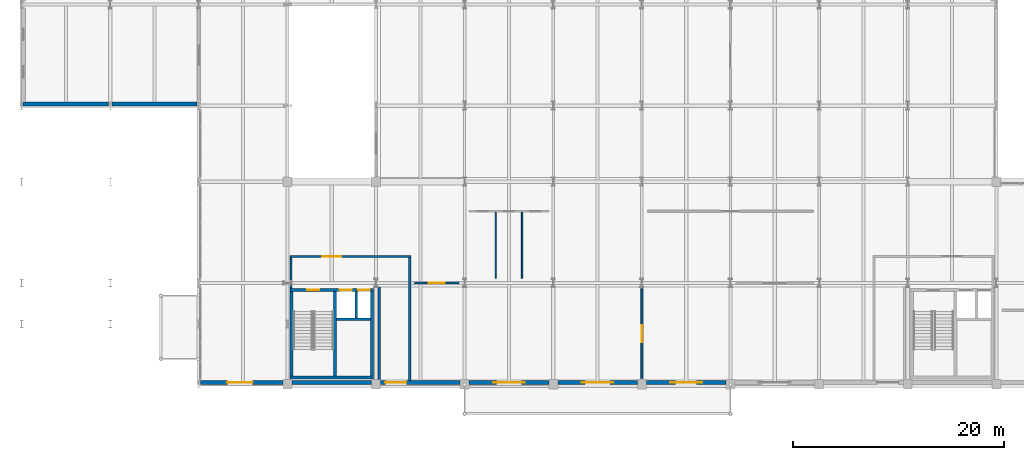
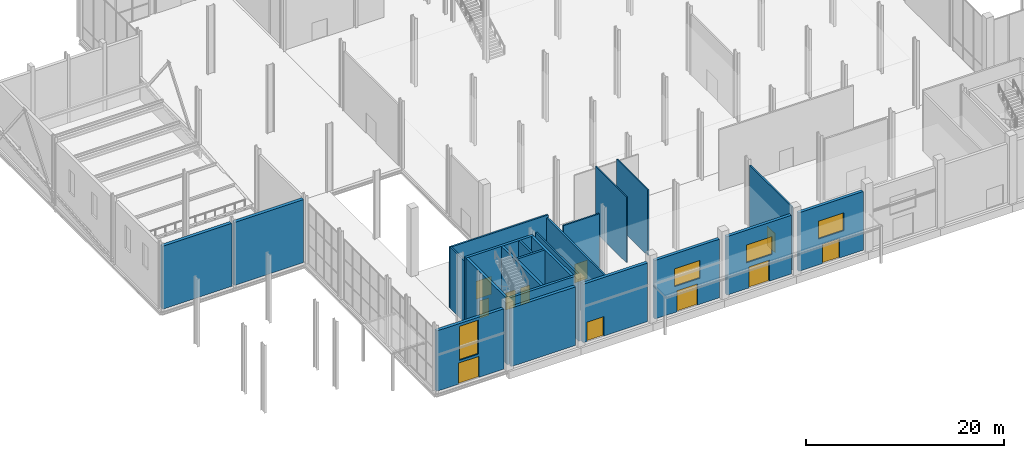
# One storey, part 115 of 131: 23 walls, 11 doors, 4 windows, 15 openings.
"""IFC4 building model written with IfcOpenShell, lengths in metres."""

from ifc_helpers import new_model, si_unit, direction, frame, frame_2d, origin, place, context, subcontext, project, spatial, rectangle, extrude, material, layer, layer_set, type_object, element, fill, save


model = new_model("IFC4")

# Units and contexts
model_context = context("Model", 3, precision=1e-05, world=origin(), true_north=direction((0.0, 1.0)))
body_context = subcontext(model_context, "Body", "Model", "MODEL_VIEW")
ifc_project = project(units=[si_unit("LENGTHUNIT", "METRE"), si_unit("AREAUNIT", "SQUARE_METRE"), si_unit("VOLUMEUNIT", "CUBIC_METRE"), si_unit("PLANEANGLEUNIT", "RADIAN"), si_unit("MASSUNIT", "GRAM", prefix="KILO")], contexts=[model_context])

# Site, building, storey
site_placement = place(None, origin())
site = spatial("IfcSite", under=ifc_project, at=site_placement, CompositionType="ELEMENT")
building_placement = place(site_placement, origin())
building = spatial("IfcBuilding", under=site, at=building_placement, Name="Veltarok Museum of Natural Sciences", CompositionType="ELEMENT")
storey_placement = place(building_placement, origin())
storey = spatial("IfcBuildingStorey", under=building, at=storey_placement, Name="L00", CompositionType="ELEMENT", Elevation=0.0)

# Walls
ifc_material_1 = material(Name="Concrete C40/50", Category="concrete")
ifc_layer_1 = layer(ifc_material_1, 0.3798828125)
ifc_layer_set_1 = layer_set([ifc_layer_1], Name="Concrete C40/50")
wall_type_1 = type_object("IfcWallType", Name="Auditorium Acoustic Concrete Facade Wall 380", PredefinedType="SOLIDWALL", material=ifc_layer_set_1)
wall_1_placement = place(storey_placement, frame((6.550048828125, 26.590087890625, 0.0), z_axis=(0.0, 0.0, 1.0), x_axis=(1.0, 0.0, 0.0)))
element("IfcWall", 1, at=wall_1_placement, inside=storey, type_object=wall_type_1, Name="Auditorium South Acoustic Wall L00 1-2", PredefinedType="SOLIDWALL", context=body_context, shape_type="SweptSolid", body=[
    extrude(rectangle(XDim=8.099853515625, YDim=0.3798828125, at=frame_2d((4.0498046875, 0.0))), origin(), (0.0, 0.0, 1.0), 7.780029296875),
])
wall_2_placement = place(storey_placement, frame((14.949951171875, 26.590087890625, 0.0), z_axis=(0.0, 0.0, 1.0), x_axis=(1.0, 0.0, 0.0)))
element("IfcWall", 2, at=wall_2_placement, inside=storey, type_object=wall_type_1, Name="Auditorium South Acoustic Wall L00 2-3", PredefinedType="SOLIDWALL", context=body_context, shape_type="SweptSolid", body=[
    extrude(rectangle(XDim=8.10009765625, YDim=0.3798828125, at=frame_2d((4.050048828125, 0.0))), origin(), (0.0, 0.0, 1.0), 7.780029296875),
])

# Wall, opening, door
ifc_material_2 = material(Name="Acoustic gypsum and mineral wool")
ifc_layer_2 = layer(ifc_material_2, 0.179931640625)
ifc_layer_set_2 = layer_set([ifc_layer_2], Name="Acoustic gypsum and mineral wool")
wall_type_2 = type_object("IfcWallType", Name="Exhibition Gallery Partition 180", PredefinedType="PARTITIONING", material=ifc_layer_set_2)
wall_3_placement = place(storey_placement, frame((43.64990234375, 9.60009765625, 0.0), z_axis=(0.0, 0.0, 1.0), x_axis=(1.0, 0.0, 0.0)))
wall_3 = element("IfcWall", 3, at=wall_3_placement, inside=storey, type_object=wall_type_2, Name="Interior Partition L00-010", PredefinedType="PARTITIONING", context=body_context, shape_type="SweptSolid", body=[
    extrude(rectangle(XDim=4.2001953125, YDim=0.179931640625, at=frame_2d((2.10009765625, 0.0))), origin(), (0.0, 0.0, 1.0), 7.58203125),
])
opening_1_placement = place(wall_3_placement, frame((1.35009765625, 0.0, 0.0)))
opening_1 = element("IfcOpeningElement", 4, at=opening_1_placement, cuts=wall_3, Name="Opening D-L00-136", PredefinedType="OPENING", context=body_context, shape_type="SweptSolid", body=[
    extrude(rectangle(XDim=1.5, YDim=2.300048828125, at=frame_2d((0.75, 1.14990234375))), frame((0.0, 0.10009765625, 0.0), z_axis=(0.0, -1.0, 0.0), x_axis=(1.0, 0.0, 0.0)), (0.0, 0.0, 1.0), 0.199951171875),
])
ifc_material_3 = material(Name="Solid European oak and safety glass", Category="glass")
door_type_1 = type_object("IfcDoorType", Name="Seminar Double Swing Door 1500x2300", OperationType="NOTDEFINED", PredefinedType="DOOR", material=ifc_material_3)
door_1_placement = place(opening_1_placement, origin())
door_1 = element("IfcDoor", 5, at=door_1_placement, inside=storey, type_object=door_type_1, Name="Interior Door D-L00-136", OperationType="SINGLE_SWING_RIGHT", OverallHeight=2.300048828125, OverallWidth=1.5, PredefinedType="DOOR", context=body_context, shape_type="SweptSolid", body=[
    extrude(rectangle(XDim=1.5, YDim=2.300048828125, at=frame_2d((0.75, 1.14990234375))), frame((0.0, 0.02490234375, 0.0), z_axis=(0.0, -1.0, 0.0), x_axis=(1.0, 0.0, 0.0)), (0.0, 0.0, 1.0), 0.050048828125),
])
fill(opening_1, door_1)

wall_4_placement = place(storey_placement, frame((65.199951171875, 0.550048828125, 0.0), z_axis=(0.0, 0.0, 1.0), x_axis=(0.0, 1.0, 0.0)))
wall_4 = element("IfcWall", 6, at=wall_4_placement, inside=storey, type_object=wall_type_2, Name="Interior Partition L00-011", PredefinedType="PARTITIONING", context=body_context, shape_type="SweptSolid", body=[
    extrude(rectangle(XDim=8.5, YDim=0.179931640625, at=frame_2d((4.25, 0.0))), origin(), (0.0, 0.0, 1.0), 7.81201171875),
])
opening_2_placement = place(wall_4_placement, frame((3.449951171875, 0.0, 0.0)))
opening_2 = element("IfcOpeningElement", 7, at=opening_2_placement, cuts=wall_4, Name="Opening D-L00-137", PredefinedType="OPENING", context=body_context, shape_type="SweptSolid", body=[
    extrude(rectangle(XDim=1.60009765625, YDim=2.39990234375, at=frame_2d((0.800048828125, 1.199951171875))), frame((0.0, 0.10009765625, 0.0), z_axis=(0.0, -1.0, 0.0), x_axis=(1.0, 0.0, 0.0)), (0.0, 0.0, 1.0), 0.199951171875),
])
door_type_2 = type_object("IfcDoorType", Name="Gallery Double Swing Door 1600x2400", OperationType="NOTDEFINED", PredefinedType="DOOR", material=ifc_material_3)
door_2_placement = place(opening_2_placement, origin())
door_2 = element("IfcDoor", 8, at=door_2_placement, inside=storey, type_object=door_type_2, Name="Interior Door D-L00-137", OperationType="DOUBLE_DOOR_SINGLE_SWING", OverallHeight=2.39990234375, OverallWidth=1.60009765625, PredefinedType="DOOR", context=body_context, shape_type="SweptSolid", body=[
    extrude(rectangle(XDim=1.60009765625, YDim=2.39990234375, at=frame_2d((0.800048828125, 1.199951171875))), frame((0.0, 0.02490234375, 0.0), z_axis=(0.0, -1.0, 0.0), x_axis=(1.0, 0.0, 0.0)), (0.0, 0.0, 1.0), 0.050048828125),
])
fill(opening_2, door_2)

# Wall
ifc_layer_3 = layer(ifc_material_1, 0.360107421875)
ifc_layer_set_3 = layer_set([ifc_layer_3], Name="Concrete C40/50")
wall_type_3 = type_object("IfcWallType", Name="Exposed Architectural Concrete Facade Wall 360", PredefinedType="SOLIDWALL", material=ifc_layer_set_3)
wall_5_placement = place(storey_placement, frame((32.02490234375, 0.179931640625, 0.0), z_axis=(0.0, 0.0, 1.0), x_axis=(1.0, 0.0, 0.0)))
element("IfcWall", 9, at=wall_5_placement, inside=storey, type_object=wall_type_3, Name="South Core Facade Wall L00 4-5", PredefinedType="SOLIDWALL", context=body_context, shape_type="SweptSolid", body=[
    extrude(rectangle(XDim=7.550048828125, YDim=0.360107421875, at=frame_2d((3.77490234375, 0.0))), origin(), (0.0, 0.0, 1.0), 7.235107421875),
])

# Wall, opening, door
wall_6_placement = place(storey_placement, frame((40.425048828125, 0.179931640625, 0.0), z_axis=(0.0, 0.0, 1.0), x_axis=(1.0, 0.0, 0.0)))
wall_6 = element("IfcWall", 10, at=wall_6_placement, inside=storey, type_object=wall_type_3, Name="South Portal Wall 5-6", PredefinedType="SOLIDWALL", context=body_context, shape_type="SweptSolid", body=[
    extrude(rectangle(XDim=7.550048828125, YDim=0.360107421875, at=frame_2d((3.77490234375, 0.0))), origin(), (0.0, 0.0, 1.0), 7.235107421875),
])
opening_3_placement = place(wall_6_placement, frame((0.449951171875, 0.0, 0.0)))
opening_3 = element("IfcOpeningElement", 11, at=opening_3_placement, cuts=wall_6, Name="Opening E-01", PredefinedType="OPENING", context=body_context, shape_type="SweptSolid", body=[
    extrude(rectangle(XDim=2.0, YDim=2.39990234375, at=frame_2d((1.0, 1.199951171875))), frame((0.0, 0.18994140625, 0.0), z_axis=(0.0, -1.0, 0.0), x_axis=(1.0, 0.0, 0.0)), (0.0, 0.0, 1.0), 0.380126953125),
])
ifc_material_4 = material(Name="Insulated steel and safety glass", Category="steel")
door_type_3 = type_object("IfcDoorType", Name="Double Escape Discharge Door 2000x2400", OperationType="NOTDEFINED", PredefinedType="DOOR", material=ifc_material_4)
door_3_placement = place(opening_3_placement, frame((2.0, 0.0, 0.0), z_axis=(0.0, 0.0, 1.0), x_axis=(-1.0, 0.0, 0.0)))
door_3 = element("IfcDoor", 12, at=door_3_placement, inside=storey, type_object=door_type_3, Name="Pedestrian Final Exit E-01", OperationType="DOUBLE_DOOR_SINGLE_SWING", OverallHeight=2.39990234375, OverallWidth=2.0, PredefinedType="DOOR", context=body_context, shape_type="SweptSolid", body=[
    extrude(rectangle(XDim=2.0, YDim=2.39990234375, at=frame_2d((1.0, 1.199951171875))), frame((0.0, 0.02490234375, 0.0), z_axis=(0.0, -1.0, 0.0), x_axis=(1.0, 0.0, 0.0)), (0.0, 0.0, 1.0), 0.050048828125),
])
fill(opening_3, door_3)

# Wall, openings, door, window
wall_7_placement = place(storey_placement, frame((48.824951171875, 0.179931640625, 0.0), z_axis=(0.0, 0.0, 1.0), x_axis=(1.0, 0.0, 0.0)))
wall_7 = element("IfcWall", 13, at=wall_7_placement, inside=storey, type_object=wall_type_3, Name="South Portal Wall 6-7", PredefinedType="SOLIDWALL", context=body_context, shape_type="SweptSolid", body=[
    extrude(rectangle(XDim=7.550048828125, YDim=0.360107421875, at=frame_2d((3.77490234375, 0.0))), origin(), (0.0, 0.0, 1.0), 7.235107421875),
])
opening_4_placement = place(wall_7_placement, frame((2.574951171875, 0.0, 0.0)))
opening_4 = element("IfcOpeningElement", 14, at=opening_4_placement, cuts=wall_7, Name="Opening E-02", PredefinedType="OPENING", context=body_context, shape_type="SweptSolid", body=[
    extrude(rectangle(XDim=2.39990234375, YDim=2.60009765625, at=frame_2d((1.199951171875, 1.300048828125))), frame((0.0, 0.18994140625, 0.0), z_axis=(0.0, -1.0, 0.0), x_axis=(1.0, 0.0, 0.0)), (0.0, 0.0, 1.0), 0.380126953125),
])
opening_5_placement = place(wall_7_placement, frame((2.27490234375, 0.0, 3.199951171875)))
opening_5 = element("IfcOpeningElement", 15, at=opening_5_placement, cuts=wall_7, Name="Opening W-L00-001", PredefinedType="OPENING", context=body_context, shape_type="SweptSolid", body=[
    extrude(rectangle(XDim=3.0, YDim=2.199951171875, at=frame_2d((1.5, 1.10009765625))), frame((0.0, 0.18994140625, 0.0), z_axis=(0.0, -1.0, 0.0), x_axis=(1.0, 0.0, 0.0)), (0.0, 0.0, 1.0), 0.380126953125),
])
ifc_material_5 = material(Name="Thermally broken aluminium and glass", Category="aluminium")
door_type_4 = type_object("IfcDoorType", Name="Double Glazed Entrance Portal Door 2400x2600", OperationType="NOTDEFINED", PredefinedType="DOOR", material=ifc_material_5)
door_4_placement = place(opening_4_placement, frame((2.39990234375, 0.0, 0.0), z_axis=(0.0, 0.0, 1.0), x_axis=(-1.0, 0.0, 0.0)))
door_4 = element("IfcDoor", 16, at=door_4_placement, inside=storey, type_object=door_type_4, Name="Pedestrian Final Exit E-02", OperationType="DOUBLE_DOOR_SINGLE_SWING", OverallHeight=2.60009765625, OverallWidth=2.39990234375, PredefinedType="DOOR", context=body_context, shape_type="SweptSolid", body=[
    extrude(rectangle(XDim=2.39990234375, YDim=2.60009765625, at=frame_2d((1.199951171875, 1.300048828125))), frame((0.0, 0.02490234375, 0.0), z_axis=(0.0, -1.0, 0.0), x_axis=(1.0, 0.0, 0.0)), (0.0, 0.0, 1.0), 0.050048828125),
])
fill(opening_4, door_4)
ifc_material_6 = material(Name="Low-iron triple insulated glass", Category="glass")
window_type_1 = type_object("IfcWindowType", Name="Passage Foyer Transom Window 3000x2200", PartitioningType="SINGLE_PANEL", PredefinedType="WINDOW", material=ifc_material_6)
window_1_placement = place(opening_5_placement, origin())
window_1 = element("IfcWindow", 17, at=window_1_placement, inside=storey, type_object=window_type_1, Name="Portal Clerestory Window 6-7", OverallHeight=2.199951171875, OverallWidth=3.0, PartitioningType="SINGLE_PANEL", PredefinedType="WINDOW", context=body_context, shape_type="SweptSolid", body=[
    extrude(rectangle(XDim=3.0, YDim=2.199951171875, at=frame_2d((1.5, 1.10009765625))), frame((0.0, 0.030029296875, 0.0), z_axis=(0.0, -1.0, 0.0), x_axis=(1.0, 0.0, 0.0)), (0.0, 0.0, 1.0), 0.06005859375),
])
fill(opening_5, window_1)

wall_8_placement = place(storey_placement, frame((57.22509765625, 0.179931640625, 0.0), z_axis=(0.0, 0.0, 1.0), x_axis=(1.0, 0.0, 0.0)))
wall_8 = element("IfcWall", 18, at=wall_8_placement, inside=storey, type_object=wall_type_3, Name="South Portal Wall 7-8", PredefinedType="SOLIDWALL", context=body_context, shape_type="SweptSolid", body=[
    extrude(rectangle(XDim=7.5498046875, YDim=0.360107421875, at=frame_2d((3.77490234375, 0.0))), origin(), (0.0, 0.0, 1.0), 7.235107421875),
])
opening_6_placement = place(wall_8_placement, frame((2.574951171875, 0.0, 0.0)))
opening_6 = element("IfcOpeningElement", 19, at=opening_6_placement, cuts=wall_8, Name="Opening E-11", PredefinedType="OPENING", context=body_context, shape_type="SweptSolid", body=[
    extrude(rectangle(XDim=2.39990234375, YDim=2.60009765625, at=frame_2d((1.199951171875, 1.300048828125))), frame((0.0, 0.18994140625, 0.0), z_axis=(0.0, -1.0, 0.0), x_axis=(1.0, 0.0, 0.0)), (0.0, 0.0, 1.0), 0.380126953125),
])
opening_7_placement = place(wall_8_placement, frame((2.27490234375, 0.0, 3.199951171875)))
opening_7 = element("IfcOpeningElement", 20, at=opening_7_placement, cuts=wall_8, Name="Opening W-L00-002", PredefinedType="OPENING", context=body_context, shape_type="SweptSolid", body=[
    extrude(rectangle(XDim=3.0, YDim=2.199951171875, at=frame_2d((1.5, 1.10009765625))), frame((0.0, 0.18994140625, 0.0), z_axis=(0.0, -1.0, 0.0), x_axis=(1.0, 0.0, 0.0)), (0.0, 0.0, 1.0), 0.380126953125),
])
door_5_placement = place(opening_6_placement, frame((2.39990234375, 0.0, 0.0), z_axis=(0.0, 0.0, 1.0), x_axis=(-1.0, 0.0, 0.0)))
door_5 = element("IfcDoor", 21, at=door_5_placement, inside=storey, type_object=door_type_4, Name="Pedestrian Final Exit E-11", OperationType="DOUBLE_DOOR_SINGLE_SWING", OverallHeight=2.60009765625, OverallWidth=2.39990234375, PredefinedType="DOOR", context=body_context, shape_type="SweptSolid", body=[
    extrude(rectangle(XDim=2.39990234375, YDim=2.60009765625, at=frame_2d((1.199951171875, 1.300048828125))), frame((0.0, 0.02490234375, 0.0), z_axis=(0.0, -1.0, 0.0), x_axis=(1.0, 0.0, 0.0)), (0.0, 0.0, 1.0), 0.050048828125),
])
fill(opening_6, door_5)
window_2_placement = place(opening_7_placement, origin())
window_2 = element("IfcWindow", 22, at=window_2_placement, inside=storey, type_object=window_type_1, Name="Portal Clerestory Window 7-8", OverallHeight=2.199951171875, OverallWidth=3.0, PartitioningType="SINGLE_PANEL", PredefinedType="WINDOW", context=body_context, shape_type="SweptSolid", body=[
    extrude(rectangle(XDim=3.0, YDim=2.199951171875, at=frame_2d((1.5, 1.10009765625))), frame((0.0, 0.030029296875, 0.0), z_axis=(0.0, -1.0, 0.0), x_axis=(1.0, 0.0, 0.0)), (0.0, 0.0, 1.0), 0.06005859375),
])
fill(opening_7, window_2)

wall_9_placement = place(storey_placement, frame((65.625, 0.179931640625, 0.0), z_axis=(0.0, 0.0, 1.0), x_axis=(1.0, 0.0, 0.0)))
wall_9 = element("IfcWall", 23, at=wall_9_placement, inside=storey, type_object=wall_type_3, Name="South Portal Wall 8-9", PredefinedType="SOLIDWALL", context=body_context, shape_type="SweptSolid", body=[
    extrude(rectangle(XDim=7.550048828125, YDim=0.360107421875, at=frame_2d((3.77490234375, 0.0))), origin(), (0.0, 0.0, 1.0), 7.235107421875),
])
opening_8_placement = place(wall_9_placement, frame((2.77490234375, 0.0, 0.0)))
opening_8 = element("IfcOpeningElement", 24, at=opening_8_placement, cuts=wall_9, Name="Opening E-04", PredefinedType="OPENING", context=body_context, shape_type="SweptSolid", body=[
    extrude(rectangle(XDim=2.0, YDim=2.39990234375, at=frame_2d((1.0, 1.199951171875))), frame((0.0, 0.18994140625, 0.0), z_axis=(0.0, -1.0, 0.0), x_axis=(1.0, 0.0, 0.0)), (0.0, 0.0, 1.0), 0.380126953125),
])
opening_9_placement = place(wall_9_placement, frame((2.27490234375, 0.0, 3.199951171875)))
opening_9 = element("IfcOpeningElement", 25, at=opening_9_placement, cuts=wall_9, Name="Opening W-L00-003", PredefinedType="OPENING", context=body_context, shape_type="SweptSolid", body=[
    extrude(rectangle(XDim=3.0, YDim=2.199951171875, at=frame_2d((1.5, 1.10009765625))), frame((0.0, 0.18994140625, 0.0), z_axis=(0.0, -1.0, 0.0), x_axis=(1.0, 0.0, 0.0)), (0.0, 0.0, 1.0), 0.380126953125),
])
door_6_placement = place(opening_8_placement, frame((2.0, 0.0, 0.0), z_axis=(0.0, 0.0, 1.0), x_axis=(-1.0, 0.0, 0.0)))
door_6 = element("IfcDoor", 26, at=door_6_placement, inside=storey, type_object=door_type_3, Name="Pedestrian Final Exit E-04", OperationType="DOUBLE_DOOR_SINGLE_SWING", OverallHeight=2.39990234375, OverallWidth=2.0, PredefinedType="DOOR", context=body_context, shape_type="SweptSolid", body=[
    extrude(rectangle(XDim=2.0, YDim=2.39990234375, at=frame_2d((1.0, 1.199951171875))), frame((0.0, 0.02490234375, 0.0), z_axis=(0.0, -1.0, 0.0), x_axis=(1.0, 0.0, 0.0)), (0.0, 0.0, 1.0), 0.050048828125),
])
fill(opening_8, door_6)
window_3_placement = place(opening_9_placement, origin())
window_3 = element("IfcWindow", 27, at=window_3_placement, inside=storey, type_object=window_type_1, Name="Portal Clerestory Window 8-9", OverallHeight=2.199951171875, OverallWidth=3.0, PartitioningType="SINGLE_PANEL", PredefinedType="WINDOW", context=body_context, shape_type="SweptSolid", body=[
    extrude(rectangle(XDim=3.0, YDim=2.199951171875, at=frame_2d((1.5, 1.10009765625))), frame((0.0, 0.030029296875, 0.0), z_axis=(0.0, -1.0, 0.0), x_axis=(1.0, 0.0, 0.0)), (0.0, 0.0, 1.0), 0.06005859375),
])
fill(opening_9, window_3)

wall_10_placement = place(storey_placement, frame((23.35009765625, 0.179931640625, 0.0), z_axis=(0.0, 0.0, 1.0), x_axis=(1.0, 0.0, 0.0)))
wall_10 = element("IfcWall", 28, at=wall_10_placement, inside=storey, type_object=wall_type_3, Name="South Glazed Passage Entrance Portal Wall", PredefinedType="SOLIDWALL", context=body_context, shape_type="SweptSolid", body=[
    extrude(rectangle(XDim=7.824951171875, YDim=0.360107421875, at=frame_2d((3.91259765625, 0.0))), origin(), (0.0, 0.0, 1.0), 7.449951171875),
])
opening_10_placement = place(wall_10_placement, frame((2.550048828125, 0.0, 0.0)))
opening_10 = element("IfcOpeningElement", 29, at=opening_10_placement, cuts=wall_10, Name="Opening E-06", PredefinedType="OPENING", context=body_context, shape_type="SweptSolid", body=[
    extrude(rectangle(XDim=2.39990234375, YDim=2.60009765625, at=frame_2d((1.199951171875, 1.300048828125))), frame((0.0, 0.18994140625, 0.0), z_axis=(0.0, -1.0, 0.0), x_axis=(1.0, 0.0, 0.0)), (0.0, 0.0, 1.0), 0.380126953125),
])
opening_11_placement = place(wall_10_placement, frame((2.64990234375, 0.0, 2.89990234375)))
opening_11 = element("IfcOpeningElement", 30, at=opening_11_placement, cuts=wall_10, Name="Opening W-L00-006", PredefinedType="OPENING", context=body_context, shape_type="SweptSolid", body=[
    extrude(rectangle(XDim=2.199951171875, YDim=4.199951171875, at=frame_2d((1.10009765625, 2.10009765625))), frame((0.0, 0.18994140625, 0.0), z_axis=(0.0, -1.0, 0.0), x_axis=(1.0, 0.0, 0.0)), (0.0, 0.0, 1.0), 0.380126953125),
])
door_7_placement = place(opening_10_placement, frame((2.39990234375, 0.0, 0.0), z_axis=(0.0, 0.0, 1.0), x_axis=(-1.0, 0.0, 0.0)))
door_7 = element("IfcDoor", 31, at=door_7_placement, inside=storey, type_object=door_type_4, Name="Main Entrance E-06 South Passage", OperationType="DOUBLE_DOOR_SINGLE_SWING", OverallHeight=2.60009765625, OverallWidth=2.39990234375, PredefinedType="DOOR", context=body_context, shape_type="SweptSolid", body=[
    extrude(rectangle(XDim=2.39990234375, YDim=2.60009765625, at=frame_2d((1.199951171875, 1.300048828125))), frame((0.0, 0.02490234375, 0.0), z_axis=(0.0, -1.0, 0.0), x_axis=(1.0, 0.0, 0.0)), (0.0, 0.0, 1.0), 0.050048828125),
])
fill(opening_10, door_7)
window_type_2 = type_object("IfcWindowType", Name="Double-Height Hall Window 2200x4200", PartitioningType="SINGLE_PANEL", PredefinedType="WINDOW", material=ifc_material_6)
window_4_placement = place(opening_11_placement, origin())
window_4 = element("IfcWindow", 32, at=window_4_placement, inside=storey, type_object=window_type_2, Name="South Passage Portal Window", OverallHeight=4.199951171875, OverallWidth=2.199951171875, PartitioningType="SINGLE_PANEL", PredefinedType="WINDOW", context=body_context, shape_type="SweptSolid", body=[
    extrude(rectangle(XDim=2.199951171875, YDim=4.199951171875, at=frame_2d((1.10009765625, 2.10009765625))), frame((0.0, 0.030029296875, 0.0), z_axis=(0.0, -1.0, 0.0), x_axis=(1.0, 0.0, 0.0)), (0.0, 0.0, 1.0), 0.06005859375),
])
fill(opening_11, window_4)

# Wall, opening, door
ifc_material_7 = material(Name="Concrete C35/45", Category="concrete")
ifc_layer_4 = layer(ifc_material_7, 0.199951171875)
ifc_layer_set_4 = layer_set([ifc_layer_4], Name="Concrete C35/45")
wall_type_4 = type_object("IfcWallType", Name="Firefighting Lobby Compartment Wall 200", PredefinedType="SOLIDWALL", material=ifc_layer_set_4)
wall_11_placement = place(storey_placement, frame((31.830078125, 12.10009765625, 0.0), z_axis=(0.0, 0.0, 1.0), x_axis=(1.0, 0.0, 0.0)))
wall_11 = element("IfcWall", 33, at=wall_11_placement, inside=storey, type_object=wall_type_4, Name="Firefighting Lobby Wall C1 L00 N", PredefinedType="SOLIDWALL", context=body_context, shape_type="SweptSolid", body=[
    extrude(rectangle(XDim=11.469970703125, YDim=0.199951171875, at=frame_2d((5.73486328125, 0.0))), origin(), (0.0, 0.0, 1.0), 7.531982421875),
])
opening_12_placement = place(wall_11_placement, frame((3.070068359375, 0.0, 0.0)))
opening_12 = element("IfcOpeningElement", 34, at=opening_12_placement, cuts=wall_11, Name="Opening D-L00-013", PredefinedType="OPENING", context=body_context, shape_type="SweptSolid", body=[
    extrude(rectangle(XDim=1.800048828125, YDim=2.199951171875, at=frame_2d((0.89990234375, 1.10009765625))), frame((0.0, 0.10986328125, 0.0), z_axis=(0.0, -1.0, 0.0), x_axis=(1.0, 0.0, 0.0)), (0.0, 0.0, 1.0), 0.219970703125),
])
ifc_material_8 = material(Name="Fire-rated steel and vision glass", Category="steel")
door_type_5 = type_object("IfcDoorType", Name="Fire Lobby Double Door 1800x2200", OperationType="NOTDEFINED", PredefinedType="DOOR", material=ifc_material_8)
door_8_placement = place(opening_12_placement, origin())
door_8 = element("IfcDoor", 35, at=door_8_placement, inside=storey, type_object=door_type_5, Name="Firefighting Lobby Entrance Door C1 L00", OperationType="DOUBLE_DOOR_SINGLE_SWING", OverallHeight=2.199951171875, OverallWidth=1.800048828125, PredefinedType="DOOR", context=body_context, shape_type="SweptSolid", body=[
    extrude(rectangle(XDim=1.800048828125, YDim=2.199951171875, at=frame_2d((0.89990234375, 1.10009765625))), frame((0.0, 0.02490234375, 0.0), z_axis=(0.0, -1.0, 0.0), x_axis=(1.0, 0.0, 0.0)), (0.0, 0.0, 1.0), 0.050048828125),
])
fill(opening_12, door_8)

# Walls
wall_12_placement = place(storey_placement, frame((31.929931640625, 9.10009765625, 0.0), z_axis=(0.0, 0.0, 1.0), x_axis=(0.0, 1.0, 0.0)))
element("IfcWall", 36, at=wall_12_placement, inside=storey, type_object=wall_type_4, Name="Firefighting Lobby Wall C1 L00 W", PredefinedType="SOLIDWALL", context=body_context, shape_type="SweptSolid", body=[
    extrude(rectangle(XDim=2.89990234375, YDim=0.199951171875, at=frame_2d((1.449951171875, 0.0))), origin(), (0.0, 0.0, 1.0), 7.58203125),
])
wall_13_placement = place(storey_placement, frame((43.199951171875, 12.0, 0.0), z_axis=(0.0, 0.0, 1.0), x_axis=(0.0, -1.0, 0.0)))
element("IfcWall", 37, at=wall_13_placement, inside=storey, type_object=wall_type_4, Name="Firefighting Lobby Wall C1 L00 EPE", PredefinedType="SOLIDWALL", context=body_context, shape_type="SweptSolid", body=[
    extrude(rectangle(XDim=11.639892578125, YDim=0.199951171875, at=frame_2d((5.81982421875, 0.0))), origin(), (0.0, 0.0, 1.0), 7.23193359375),
])
wall_14_placement = place(storey_placement, frame((40.300048828125, 0.449951171875, 0.0), z_axis=(0.0, 0.0, 1.0), x_axis=(0.0, 1.0, 0.0)))
element("IfcWall", 38, at=wall_14_placement, inside=storey, type_object=wall_type_4, Name="Firefighting Lobby Wall C1 L00 EPW", PredefinedType="SOLIDWALL", context=body_context, shape_type="SweptSolid", body=[
    extrude(rectangle(XDim=8.75, YDim=0.199951171875, at=frame_2d((4.375, 0.0))), origin(), (0.0, 0.0, 1.0), 8.135009765625),
])
ifc_layer_5 = layer(ifc_material_1, 0.25)
ifc_layer_set_5 = layer_set([ifc_layer_5], Name="Concrete C40/50")
wall_type_5 = type_object("IfcWallType", Name="Lift Shaft Concrete Shear Wall 250", PredefinedType="SHEAR", material=ifc_layer_set_5)
wall_15_placement = place(storey_placement, frame((38.114990234375, 6.300048828125, 0.0), z_axis=(0.0, 0.0, 1.0), x_axis=(0.0, 1.0, 0.0)))
element("IfcWall", 39, at=wall_15_placement, inside=storey, type_object=wall_type_5, Name="Lift Shaft Divider Wall C1 L00", PredefinedType="SHEAR", context=body_context, shape_type="SweptSolid", body=[
    extrude(rectangle(XDim=2.5, YDim=0.25, at=frame_2d((1.25, 0.0))), origin(), (0.0, 0.0, 1.0), 8.14990234375),
])
wall_16_placement = place(storey_placement, frame((36.27001953125, 6.175048828125, 0.0), z_axis=(0.0, 0.0, 1.0), x_axis=(1.0, 0.0, 0.0)))
element("IfcWall", 40, at=wall_16_placement, inside=storey, type_object=wall_type_5, Name="Lift Shaft Back Wall C1 L00", PredefinedType="SHEAR", context=body_context, shape_type="SweptSolid", body=[
    extrude(rectangle(XDim=3.199951171875, YDim=0.25, at=frame_2d((1.60009765625, 0.0))), origin(), (0.0, 0.0, 1.0), 8.14990234375),
])
ifc_layer_6 = layer(ifc_material_1, 0.300048828125)
ifc_layer_set_6 = layer_set([ifc_layer_6], Name="Concrete C40/50")
wall_type_6 = type_object("IfcWallType", Name="Protected Core Shear Wall 300", PredefinedType="SHEAR", material=ifc_layer_set_6)
wall_17_placement = place(storey_placement, frame((31.830078125, 0.64990234375, 0.0), z_axis=(0.0, 0.0, 1.0), x_axis=(1.0, 0.0, 0.0)))
element("IfcWall", 41, at=wall_17_placement, inside=storey, type_object=wall_type_6, Name="Core Shear Wall C1 L00 S", PredefinedType="SHEAR", context=body_context, shape_type="SweptSolid", body=[
    extrude(rectangle(XDim=7.93994140625, YDim=0.300048828125, at=frame_2d((3.969970703125, 0.0))), origin(), (0.0, 0.0, 1.0), 8.14990234375),
])

# Wall, openings, doors
wall_18_placement = place(storey_placement, frame((39.77001953125, 8.949951171875, 0.0), z_axis=(0.0, 0.0, 1.0), x_axis=(-1.0, 0.0, 0.0)))
wall_18 = element("IfcWall", 42, at=wall_18_placement, inside=storey, type_object=wall_type_6, Name="Core Shear Wall C1 L00 N", PredefinedType="SHEAR", context=body_context, shape_type="SweptSolid", body=[
    extrude(rectangle(XDim=7.93994140625, YDim=0.300048828125, at=frame_2d((3.969970703125, 0.0))), origin(), (0.0, 0.0, 1.0), 8.14990234375),
])
opening_13_placement = place(wall_18_placement, frame((5.169921875, 0.0, 0.0)))
opening_13 = element("IfcOpeningElement", 43, at=opening_13_placement, cuts=wall_18, Name="Opening D-L00-012", PredefinedType="OPENING", context=body_context, shape_type="SweptSolid", body=[
    extrude(rectangle(XDim=1.10009765625, YDim=2.199951171875, at=frame_2d((0.550048828125, 1.10009765625))), frame((0.0, 0.16015625, 0.0), z_axis=(0.0, -1.0, 0.0), x_axis=(1.0, 0.0, 0.0)), (0.0, 0.0, 1.0), 0.320068359375),
])
opening_14_placement = place(wall_18_placement, frame((2.090087890625, 0.0, 0.0)))
opening_14 = element("IfcOpeningElement", 44, at=opening_14_placement, cuts=wall_18, Name="Opening LD-L00-LP-01", PredefinedType="OPENING", context=body_context, shape_type="SweptSolid", body=[
    extrude(rectangle(XDim=1.10009765625, YDim=2.10009765625, at=frame_2d((0.550048828125, 1.050048828125))), frame((0.0, 0.16015625, 0.0), z_axis=(0.0, -1.0, 0.0), x_axis=(1.0, 0.0, 0.0)), (0.0, 0.0, 1.0), 0.320068359375),
])
opening_15_placement = place(wall_18_placement, frame((0.364990234375, 0.0, 0.0)))
opening_15 = element("IfcOpeningElement", 45, at=opening_15_placement, cuts=wall_18, Name="Opening LD-L00-FL-01", PredefinedType="OPENING", context=body_context, shape_type="SweptSolid", body=[
    extrude(rectangle(XDim=1.10009765625, YDim=2.10009765625, at=frame_2d((0.550048828125, 1.050048828125))), frame((0.0, 0.16015625, 0.0), z_axis=(0.0, -1.0, 0.0), x_axis=(1.0, 0.0, 0.0)), (0.0, 0.0, 1.0), 0.320068359375),
])
ifc_material_9 = material(Name="Fire-rated painted steel", Category="steel")
door_type_6 = type_object("IfcDoorType", Name="Fire Core Single Escape Door 1100x2200", OperationType="NOTDEFINED", PredefinedType="DOOR", material=ifc_material_9)
door_9_placement = place(opening_13_placement, origin())
door_9 = element("IfcDoor", 46, at=door_9_placement, inside=storey, type_object=door_type_6, Name="Protected Stair Door ST-01 L00", OperationType="SINGLE_SWING_RIGHT", OverallHeight=2.199951171875, OverallWidth=1.10009765625, PredefinedType="DOOR", context=body_context, shape_type="SweptSolid", body=[
    extrude(rectangle(XDim=1.10009765625, YDim=2.199951171875, at=frame_2d((0.550048828125, 1.10009765625))), frame((0.0, 0.02490234375, 0.0), z_axis=(0.0, -1.0, 0.0), x_axis=(1.0, 0.0, 0.0)), (0.0, 0.0, 1.0), 0.050048828125),
])
fill(opening_13, door_9)
ifc_material_10 = material(Name="Brushed stainless steel", Category="steel")
door_type_7 = type_object("IfcDoorType", Name="Passenger and Firefighting Lift Landing Door 1100x2100", OperationType="SLIDING_TO_LEFT", PredefinedType="DOOR", material=ifc_material_10)
door_10_placement = place(opening_14_placement, origin())
door_10 = element("IfcDoor", 47, at=door_10_placement, inside=storey, type_object=door_type_7, Name="Sliding Lift Landing Door LD-L00-LP-01", OperationType="SLIDING_TO_LEFT", OverallHeight=2.10009765625, OverallWidth=1.10009765625, PredefinedType="DOOR", context=body_context, shape_type="SweptSolid", body=[
    extrude(rectangle(XDim=1.10009765625, YDim=2.10009765625, at=frame_2d((0.550048828125, 1.050048828125))), frame((0.0, 0.02490234375, 0.0), z_axis=(0.0, -1.0, 0.0), x_axis=(1.0, 0.0, 0.0)), (0.0, 0.0, 1.0), 0.050048828125),
])
fill(opening_14, door_10)
door_11_placement = place(opening_15_placement, origin())
door_11 = element("IfcDoor", 48, at=door_11_placement, inside=storey, type_object=door_type_7, Name="Sliding Lift Landing Door LD-L00-FL-01", OperationType="SLIDING_TO_LEFT", OverallHeight=2.10009765625, OverallWidth=1.10009765625, PredefinedType="DOOR", context=body_context, shape_type="SweptSolid", body=[
    extrude(rectangle(XDim=1.10009765625, YDim=2.10009765625, at=frame_2d((0.550048828125, 1.050048828125))), frame((0.0, 0.02490234375, 0.0), z_axis=(0.0, -1.0, 0.0), x_axis=(1.0, 0.0, 0.0)), (0.0, 0.0, 1.0), 0.050048828125),
])
fill(opening_15, door_11)

# Walls
for number, where, z_axis, x_axis, name in (
    (49, (31.97998046875, 8.800048828125, 0.0), (0.0, 0.0, 1.0), (0.0, -1.0, 0.0), "Core Shear Wall C1 L00 W"),
    (50, (39.6201171875, 0.800048828125, 0.0), (0.0, 0.0, 1.0), (0.0, 1.0, 0.0), "Core Shear Wall C1 L00 E"),
    (51, (36.1201171875, 0.800048828125, 0.0), (0.0, 0.0, 1.0), (0.0, 1.0, 0.0), "Core Shear Wall C1 L00 DIV"),
):
    element("IfcWall", number, at=place(storey_placement, frame(where, z_axis=z_axis, x_axis=x_axis)), inside=storey, type_object=wall_type_6, Name=name, PredefinedType="SHEAR", context=body_context, shape_type="SweptSolid", body=[
        extrude(rectangle(XDim=8.0, YDim=0.300048828125, at=frame_2d((4.0, 0.0))), origin(), (0.0, 0.0, 1.0), 8.14990234375),
    ])
ifc_layer_7 = layer(ifc_material_2, 0.125)
ifc_layer_set_7 = layer_set([ifc_layer_7], Name="Acoustic gypsum and mineral wool")
wall_type_7 = type_object("IfcWallType", Name="Sanitary Core Moisture-Resistant Partition 125", PredefinedType="PARTITIONING", material=ifc_layer_set_7)
for number, where, z_axis, x_axis, name in (
    (52, (51.35009765625, 10.050048828125, 0.0), (0.0, 0.0, 1.0), (0.0, 1.0, 0.0), "Restroom Divider L00-1"),
    (53, (53.85009765625, 10.050048828125, 0.0), (0.0, 0.0, 1.0), (0.0, 1.0, 0.0), "Restroom Divider L00-2"),
):
    element("IfcWall", number, at=place(storey_placement, frame(where, z_axis=z_axis, x_axis=x_axis)), inside=storey, type_object=wall_type_7, Name=name, PredefinedType="PARTITIONING", context=body_context, shape_type="SweptSolid", body=[
        extrude(rectangle(XDim=6.27001953125, YDim=0.125, at=frame_2d((3.135009765625, 0.0))), origin(), (0.0, 0.0, 1.0), 8.1298828125),
    ])

save(model, "model.ifc")
